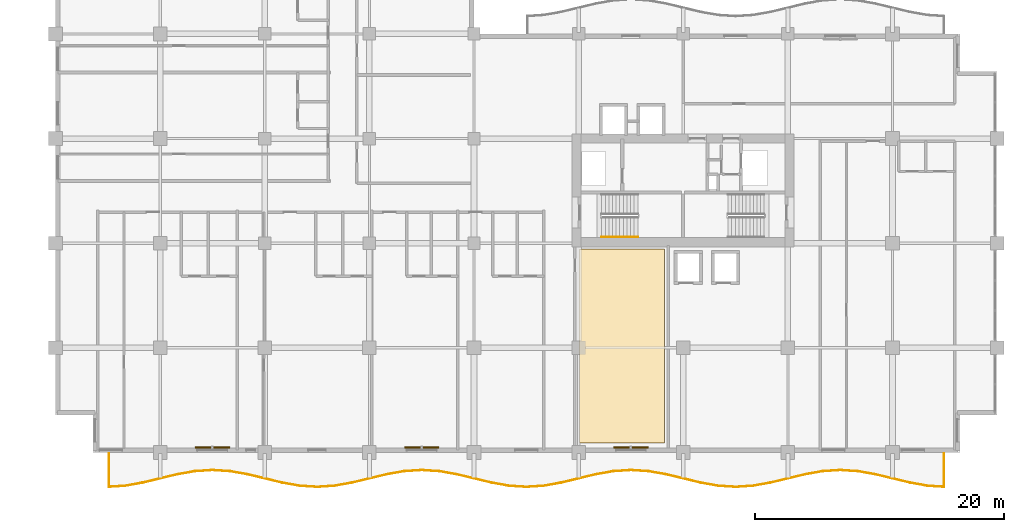
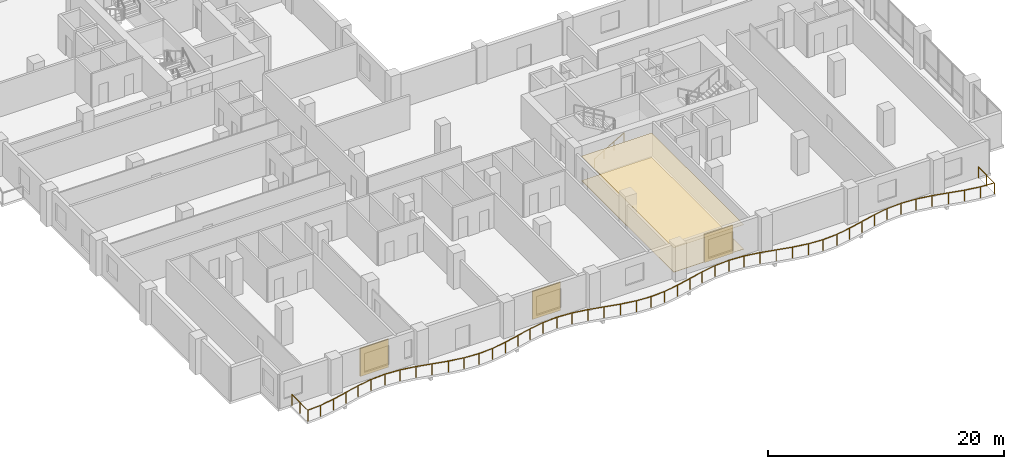
# One storey, part 19 of 22: 3 shading devices, 2 coverings, 2 railings.
"""IFC4 building model written with IfcOpenShell, lengths in metres."""

import ifcopenshell
import ifcopenshell.guid

model = None  # the IFC model being written
_history = None  # IfcOwnerHistory: only IFC2X3 demands one
_inside = {}  # id of a spatial element -> (the spatial element, [elements in it])
_under = {}  # id of a project, library or spatial element -> (it, [spatial elements below it])
_declared = {}  # id of a project -> (the project, [libraries it declares])
_typed = {}  # id of a type object -> (the type object, [elements of that type])
_made_of = {}  # id of a material, layer set ... -> (it, [elements and type objects made of it])


def new_model(schema):
    """Start an empty IFC model of exactly this schema.

    Asked for "IFC4X3", IfcOpenShell would pick the latest addendum, in which some entities
    have other attributes; the version numbers below select the first issue.
    IFC2X3 requires an IfcOwnerHistory on every rooted entity: one is made here for all.
    """
    global model, _history
    if schema == "IFC4X3":
        model = ifcopenshell.file(schema_version=(4, 3, 0, 0))
    else:
        model = ifcopenshell.file(schema=schema)
    _inside.clear()
    _under.clear()
    _declared.clear()
    _typed.clear()
    _made_of.clear()
    _history = None
    if model.schema == "IFC2X3":
        org = make("IfcOrganization", Name="unknown")
        user = make(
            "IfcPersonAndOrganization",
            ThePerson=make("IfcPerson", FamilyName="unknown"),
            TheOrganization=org,
        )
        app = make(
            "IfcApplication",
            ApplicationDeveloper=org,
            Version="unknown",
            ApplicationFullName="unknown",
            ApplicationIdentifier="unknown",
        )
        _history = make(
            "IfcOwnerHistory",
            OwningUser=user,
            OwningApplication=app,
            ChangeAction="ADDED",
            CreationDate=0,
        )
    return model


def make(cls, **values):
    """One entity of the class cls with the attributes given. An attribute that is None is left unset."""
    return model.create_entity(
        cls, **{name: value for name, value in values.items() if value is not None}
    )


def rooted(cls, **values):
    """An entity with a GlobalId (a new one), such as an element, a storey or a relation."""
    return make(cls, GlobalId=ifcopenshell.guid.new(), OwnerHistory=_history, **values)


def si_unit(unit_type, name, prefix=None):
    """IfcSIUnit, for example si_unit("LENGTHUNIT", "METRE", prefix="MILLI")."""
    return make("IfcSIUnit", UnitType=unit_type, Prefix=prefix, Name=name)


def assignment(units):
    """IfcUnitAssignment: the units of a project."""
    return None if units is None else make("IfcUnitAssignment", Units=units)


def point(xyz):
    """IfcCartesianPoint."""
    return None if xyz is None else make("IfcCartesianPoint", Coordinates=xyz)


def direction(xyz):
    """IfcDirection."""
    return None if xyz is None else make("IfcDirection", DirectionRatios=xyz)


def frame(location, z_axis=None, x_axis=None):
    """IfcAxis2Placement3D, a coordinate frame: its origin and axes. An axis left out is left unset."""
    return make(
        "IfcAxis2Placement3D",
        Location=point(location),
        Axis=direction(z_axis),
        RefDirection=direction(x_axis),
    )


def frame_2d(location, x_axis=None):
    """IfcAxis2Placement2D, a coordinate frame in the plane: its origin and x axis."""
    return make(
        "IfcAxis2Placement2D", Location=point(location), RefDirection=direction(x_axis)
    )


def origin():
    """The frame at (0, 0, 0) with its axes left unset."""
    return frame((0.0, 0.0, 0.0))


def origin_2d():
    """The frame at (0, 0) in the plane with its x axis left unset."""
    return frame_2d((0.0, 0.0))


def place(relative_to, where):
    """IfcLocalPlacement: puts the frame where relative to a parent placement (None: the world)."""
    return make(
        "IfcLocalPlacement", PlacementRelTo=relative_to, RelativePlacement=where
    )


def context(
    kind, dimensions, precision=None, world=None, true_north=None, identifier=None
):
    """IfcGeometricRepresentationContext, for example the 3D "Model" context."""
    return make(
        "IfcGeometricRepresentationContext",
        ContextIdentifier=identifier,
        ContextType=kind,
        CoordinateSpaceDimension=dimensions,
        Precision=precision,
        WorldCoordinateSystem=world,
        TrueNorth=true_north,
    )


def subcontext(parent, identifier, kind, view, scale=None):
    """IfcGeometricRepresentationSubContext, for example "Body" below "Model"."""
    return make(
        "IfcGeometricRepresentationSubContext",
        ContextIdentifier=identifier,
        ContextType=kind,
        ParentContext=parent,
        TargetScale=scale,
        TargetView=view,
    )


def project(units=None, contexts=None):
    """IfcProject with its units and contexts."""
    return rooted(
        "IfcProject",
        Name="project",
        RepresentationContexts=contexts,
        UnitsInContext=assignment(units),
    )


def spatial(cls, under=None, at=None, **own):
    """A site, building, storey or space (cls), placed at a placement, below another one or the project."""
    s = rooted(cls, ObjectPlacement=at, **own)
    if under is not None:
        _under.setdefault(under.id(), (under, []))[1].append(s)
    return s


def polyline(points):
    """IfcPolyline through the points."""
    return make("IfcPolyline", Points=[point(p) for p in points])


def profile(cls, at=None, kind="AREA", **sizes):
    """A parametric profile (cls). Its sizes go by their IFC names, for example OverallWidth=200.0."""
    return make(cls, ProfileType=kind, Position=at, **sizes)


def rectangle(**sizes):
    """IfcRectangleProfileDef."""
    return profile("IfcRectangleProfileDef", **sizes)


def circle(**sizes):
    """IfcCircleProfileDef."""
    return profile("IfcCircleProfileDef", **sizes)


def outline(outer, holes=None, kind="AREA"):
    """IfcArbitraryClosedProfileDef: a profile drawn as a closed curve; with holes, ...WithVoids."""
    if holes is None:
        return make("IfcArbitraryClosedProfileDef", ProfileType=kind, OuterCurve=outer)
    return make(
        "IfcArbitraryProfileDefWithVoids",
        ProfileType=kind,
        OuterCurve=outer,
        InnerCurves=holes,
    )


def extrude(swept, where, along, depth):
    """IfcExtrudedAreaSolid: the profile swept, set in the frame where, extruded along a direction by depth."""
    return make(
        "IfcExtrudedAreaSolid",
        SweptArea=swept,
        Position=where,
        ExtrudedDirection=direction(along),
        Depth=depth,
    )


def shape(context_of_items, identifier, shape_type, items):
    """IfcShapeRepresentation: the items that make up one representation, for example the "Body"."""
    return make(
        "IfcShapeRepresentation",
        ContextOfItems=context_of_items,
        RepresentationIdentifier=identifier,
        RepresentationType=shape_type,
        Items=items,
    )


def material(Name=None, Category=None):
    """IfcMaterial."""
    return make("IfcMaterial", Name=Name, Category=Category)


def layer(
    of_material, thickness, ventilated=None, Name=None, Category=None, Priority=None
):
    """IfcMaterialLayer: one layer of a wall or slab, of a material (None: an air gap)."""
    return make(
        "IfcMaterialLayer",
        Material=of_material,
        LayerThickness=thickness,
        IsVentilated=ventilated,
        Name=Name,
        Category=Category,
        Priority=Priority,
    )


def layer_set(layers, Name=None):
    """IfcMaterialLayerSet."""
    return make("IfcMaterialLayerSet", MaterialLayers=layers, LayerSetName=Name)


def made_of(thing, what):
    """Note that an element or type object is made of a material, layer set ...; save() writes the relation."""
    if what is not None:
        _made_of.setdefault(what.id(), (what, []))[1].append(thing)
    return thing


def type_object(cls, material=None, **own):
    """A type object (cls), such as IfcWallType, which elements share."""
    return made_of(rooted(cls, **own), material)


def element(
    cls,
    number,
    at=None,
    inside=None,
    cuts=None,
    type_object=None,
    material=None,
    context=None,
    identifier="Body",
    shape_type=None,
    held_by="IfcProductDefinitionShape",
    body=None,
    shapes=None,
    **own,
):
    """One element of the class cls, such as IfcWall. Its Tag is "e" and its number.

    at: its placement. inside: the storey or other place that contains it. cuts: it is an
    opening in that element (IfcRelVoidsElement). A single representation is given by context,
    identifier, shape_type and body (its items); several are given by shapes. held_by: the class
    of the entity that holds the representations. save() writes the other relations.
    """
    e = rooted(cls, Tag="e%d" % number, ObjectPlacement=at, **own)
    if body is not None:
        shapes = [shape(context, identifier, shape_type, body)]
    if shapes is not None:
        e.Representation = make(held_by, Representations=shapes)
    if inside is not None:
        _inside.setdefault(inside.id(), (inside, []))[1].append(e)
    if cuts is not None:
        rooted(
            "IfcRelVoidsElement", RelatingBuildingElement=cuts, RelatedOpeningElement=e
        )
    if type_object is not None:
        _typed.setdefault(type_object.id(), (type_object, []))[1].append(e)
    return made_of(e, material)


def aggregate(whole, parts):
    """IfcRelAggregates: a whole, such as a stair, and the parts it consists of."""
    return rooted("IfcRelAggregates", RelatingObject=whole, RelatedObjects=parts)


def save(model, path):
    """Write the relations noted so far, then the file.

    IfcRelAggregates (storeys below a building ...), IfcRelContainedInSpatialStructure (elements
    in a storey), IfcRelDefinesByType, IfcRelAssociatesMaterial and IfcRelDeclares: one each for
    every whole, place, type object, material and project.
    """
    for whole, parts in _under.values():
        aggregate(whole, parts)
    for where, things in _inside.values():
        rooted(
            "IfcRelContainedInSpatialStructure",
            RelatedElements=things,
            RelatingStructure=where,
        )
    for kind, things in _typed.values():
        rooted("IfcRelDefinesByType", RelatedObjects=things, RelatingType=kind)
    for what, things in _made_of.values():
        rooted("IfcRelAssociatesMaterial", RelatedObjects=things, RelatingMaterial=what)
    for by, libraries in _declared.values():
        rooted("IfcRelDeclares", RelatingContext=by, RelatedDefinitions=libraries)
    model.write(path)


model = new_model("IFC4")

# Units and contexts
model_context = context("Model", 3, precision=1e-05, world=origin(), true_north=direction((0.0, 1.0)))
body_context = subcontext(model_context, "Body", "Model", "MODEL_VIEW")
ifc_project = project(units=[si_unit("LENGTHUNIT", "METRE"), si_unit("AREAUNIT", "SQUARE_METRE"), si_unit("VOLUMEUNIT", "CUBIC_METRE"), si_unit("PLANEANGLEUNIT", "RADIAN"), si_unit("MASSUNIT", "GRAM", prefix="KILO")], contexts=[model_context])

# Site, building, storey
site_placement = place(None, origin())
site = spatial("IfcSite", under=ifc_project, at=site_placement, CompositionType="ELEMENT")
building_placement = place(site_placement, origin())
building = spatial("IfcBuilding", under=site, at=building_placement, Name="Koriwani Terraces Tower", CompositionType="ELEMENT")
storey_placement = place(building_placement, frame((0.0, 0.0, 182.800048828125)))
storey = spatial("IfcBuildingStorey", under=building, at=storey_placement, Name="L44", CompositionType="ELEMENT", Elevation=182.800048828125)

# Coverings
ifc_material_1 = material(Name="Fire-Rated Acoustic Gypsum Partition", Category="masonry")
ifc_layer_1 = layer(ifc_material_1, 0.02490234375, Name="Fire-Rated Acoustic Gypsum Partition")
ifc_layer_set_1 = layer_set([ifc_layer_1], Name="Fire-Rated Acoustic Gypsum Partition")
covering_type_1 = type_object("IfcCoveringType", Name="CEILING_ACOUSTIC_GYPSUM", PredefinedType="CEILING", material=ifc_layer_set_1)
covering_1_placement = place(storey_placement, frame((0.0, 0.0, 2.52490234375)))
element("IfcCovering", 1, at=covering_1_placement, inside=storey, type_object=covering_type_1, Name="L44 Suspended Acoustic Gypsum Ceiling", PredefinedType="CEILING", context=body_context, shape_type="SweptSolid", body=[
    extrude(outline(polyline([(42.050048828125, 0.75), (42.050048828125, 16.35009765625), (48.89990234375, 16.35009765625), (48.89990234375, 0.75), (42.050048828125, 0.75)])), origin(), (0.0, 0.0, 1.0), 0.025146484375),
])
ifc_material_2 = material(Name="Polished Andean Slate Flooring", Category="masonry")
ifc_layer_2 = layer(ifc_material_2, 0.030029296875, Name="Polished Andean Slate Flooring")
ifc_layer_set_2 = layer_set([ifc_layer_2], Name="Polished Andean Slate Flooring")
covering_type_2 = type_object("IfcCoveringType", Name="FLOORING_ANDEAN_STONE", PredefinedType="FLOORING", material=ifc_layer_set_2)
covering_2_placement = place(storey_placement, origin())
element("IfcCovering", 2, at=covering_2_placement, inside=storey, type_object=covering_type_2, Name="L44 Polished Andean Slate Floor Finish", PredefinedType="FLOORING", context=body_context, shape_type="SweptSolid", body=[
    extrude(outline(polyline([(42.050048828125, 0.75), (42.050048828125, 16.35009765625), (48.89990234375, 16.35009765625), (48.89990234375, 0.75), (42.050048828125, 0.75)])), origin(), (0.0, 0.0, 1.0), 0.030029296875),
])

# Railings
ifc_material_3 = material(Name="Steel ASTM A572 Grade 50", Category="steel")
railing_type_1 = type_object("IfcRailingType", Name="GUARD_BALUSTRADE_1150", PredefinedType="BALUSTRADE", material=ifc_material_3)
railing_1_placement = place(storey_placement, frame((4.280029296875, -0.080078125, 0.0)))
element("IfcRailing", 3, at=railing_1_placement, inside=storey, type_object=railing_type_1, Name="L44 Balcony Perimeter Safety Balustrade (S)", PredefinedType="BALUSTRADE", context=body_context, shape_type="SweptSolid", body=[
    extrude(circle(Radius=0.02392578125, at=origin_2d()), frame((0.0, 0.0, 1.1259765625), z_axis=(0.0, -1.0, 0.0), x_axis=(1.0, 0.0, 0.0)), (0.0, 0.0, 1.0), 2.6845703125),
    extrude(circle(Radius=0.02392578125, at=origin_2d()), frame((0.0, -2.6845703125, 1.1259765625), z_axis=(0.997928390732, 0.064334492863, 0.0), x_axis=(-0.064334492863, 0.997928390732, 0.0)), (0.0, 0.0, 1.0), 1.31298828125),
    extrude(circle(Radius=0.02392578125, at=origin_2d()), frame((1.310302734375, -2.60009765625, 1.1259765625), z_axis=(0.984757491153, 0.173932985997, 0.0), x_axis=(-0.173932985997, 0.984757491153, 0.0)), (0.0, 0.0, 1.0), 1.414794921875),
    extrude(circle(Radius=0.02392578125, at=origin_2d()), frame((2.70361328125, -2.35400390625, 1.1259765625), z_axis=(0.972166814785, 0.234289744186, 0.0), x_axis=(-0.234289744186, 0.972166814785, 0.0)), (0.0, 0.0, 1.0), 2.880126953125),
    extrude(circle(Radius=0.02392578125, at=origin_2d()), frame((5.503662109375, -1.67919921875, 1.1259765625), z_axis=(0.984778396698, 0.173814583381, 0.0), x_axis=(-0.173814583381, 0.984778396698, 0.0)), (0.0, 0.0, 1.0), 1.428466796875),
    extrude(circle(Radius=0.02392578125, at=origin_2d()), frame((6.910400390625, -1.430908203125, 1.1259765625), z_axis=(0.997931036226, 0.064293443969, 0.0), x_axis=(-0.064293443969, 0.997931036226, 0.0)), (0.0, 0.0, 1.0), 1.41259765625),
    extrude(circle(Radius=0.02392578125, at=origin_2d()), frame((8.320068359375, -1.340087890625, 1.1259765625), z_axis=(0.997930321615, -0.064304534842, 0.0), x_axis=(0.064304534842, 0.997930321615, 0.0)), (0.0, 0.0, 1.0), 1.412353515625),
    extrude(circle(Radius=0.02392578125, at=origin_2d()), frame((9.7294921875, -1.430908203125, 1.1259765625), z_axis=(0.984778396698, -0.173814583381, 0.0), x_axis=(0.173814583381, 0.984778396698, 0.0)), (0.0, 0.0, 1.0), 1.428466796875),
    extrude(circle(Radius=0.02392578125, at=origin_2d()), frame((11.13623046875, -1.67919921875, 1.1259765625), z_axis=(0.972166814785, -0.234289744186, 0.0), x_axis=(0.234289744186, 0.972166814785, 0.0)), (0.0, 0.0, 1.0), 2.880126953125),
    extrude(circle(Radius=0.02392578125, at=origin_2d()), frame((13.936279296875, -2.35400390625, 1.1259765625), z_axis=(0.984757491153, -0.173932985997, 0.0), x_axis=(0.173932985997, 0.984757491153, 0.0)), (0.0, 0.0, 1.0), 1.414794921875),
    extrude(circle(Radius=0.02392578125, at=origin_2d()), frame((15.32958984375, -2.60009765625, 1.1259765625), z_axis=(0.997930027485, -0.064309099225, 0.0), x_axis=(0.064309099225, 0.997930027485, 0.0)), (0.0, 0.0, 1.0), 1.393310546875),
    extrude(circle(Radius=0.02392578125, at=origin_2d()), frame((16.719970703125, -2.689697265625, 1.1259765625), z_axis=(0.997930027485, 0.064309099225, 0.0), x_axis=(-0.064309099225, 0.997930027485, 0.0)), (0.0, 0.0, 1.0), 1.393310546875),
    extrude(circle(Radius=0.02392578125, at=origin_2d()), frame((18.1103515625, -2.60009765625, 1.1259765625), z_axis=(0.984757491153, 0.173932985997, 0.0), x_axis=(-0.173932985997, 0.984757491153, 0.0)), (0.0, 0.0, 1.0), 1.414794921875),
    extrude(circle(Radius=0.02392578125, at=origin_2d()), frame((19.503662109375, -2.35400390625, 1.1259765625), z_axis=(0.972166814785, 0.234289744186, 0.0), x_axis=(-0.234289744186, 0.972166814785, 0.0)), (0.0, 0.0, 1.0), 2.880126953125),
    extrude(circle(Radius=0.02392578125, at=origin_2d()), frame((22.3037109375, -1.67919921875, 1.1259765625), z_axis=(0.984778396698, 0.173814583381, 0.0), x_axis=(-0.173814583381, 0.984778396698, 0.0)), (0.0, 0.0, 1.0), 1.428466796875),
    extrude(circle(Radius=0.02392578125, at=origin_2d()), frame((23.71044921875, -1.430908203125, 1.1259765625), z_axis=(0.997930321615, 0.064304534842, 0.0), x_axis=(-0.064304534842, 0.997930321615, 0.0)), (0.0, 0.0, 1.0), 1.412353515625),
    extrude(circle(Radius=0.02392578125, at=origin_2d()), frame((25.119873046875, -1.340087890625, 1.1259765625), z_axis=(0.997931036226, -0.064293443969, 0.0), x_axis=(0.064293443969, 0.997931036226, 0.0)), (0.0, 0.0, 1.0), 1.41259765625),
    extrude(circle(Radius=0.02392578125, at=origin_2d()), frame((26.529541015625, -1.430908203125, 1.1259765625), z_axis=(0.984778396698, -0.173814583381, 0.0), x_axis=(0.173814583381, 0.984778396698, 0.0)), (0.0, 0.0, 1.0), 1.428466796875),
    extrude(circle(Radius=0.02392578125, at=origin_2d()), frame((27.936279296875, -1.67919921875, 1.1259765625), z_axis=(0.972166814785, -0.234289744186, 0.0), x_axis=(0.234289744186, 0.972166814785, 0.0)), (0.0, 0.0, 1.0), 2.880126953125),
    extrude(circle(Radius=0.02392578125, at=origin_2d()), frame((30.736328125, -2.35400390625, 1.1259765625), z_axis=(0.984757491153, -0.173932985997, 0.0), x_axis=(0.173932985997, 0.984757491153, 0.0)), (0.0, 0.0, 1.0), 1.414794921875),
    extrude(circle(Radius=0.02392578125, at=origin_2d()), frame((32.129638671875, -2.60009765625, 1.1259765625), z_axis=(0.997930027485, -0.064309099225, 0.0), x_axis=(0.064309099225, 0.997930027485, 0.0)), (0.0, 0.0, 1.0), 1.393310546875),
    extrude(circle(Radius=0.02392578125, at=origin_2d()), frame((33.52001953125, -2.689697265625, 1.1259765625), z_axis=(0.997930027485, 0.064309099225, 0.0), x_axis=(-0.064309099225, 0.997930027485, 0.0)), (0.0, 0.0, 1.0), 1.393310546875),
    extrude(circle(Radius=0.02392578125, at=origin_2d()), frame((34.910400390625, -2.60009765625, 1.1259765625), z_axis=(0.984757491153, 0.173932985997, 0.0), x_axis=(-0.173932985997, 0.984757491153, 0.0)), (0.0, 0.0, 1.0), 1.414794921875),
    extrude(circle(Radius=0.02392578125, at=origin_2d()), frame((36.3037109375, -2.35400390625, 1.1259765625), z_axis=(0.972166814785, 0.234289744186, 0.0), x_axis=(-0.234289744186, 0.972166814785, 0.0)), (0.0, 0.0, 1.0), 2.880126953125),
    extrude(circle(Radius=0.02392578125, at=origin_2d()), frame((39.103759765625, -1.67919921875, 1.1259765625), z_axis=(0.984778396698, 0.173814583381, 0.0), x_axis=(-0.173814583381, 0.984778396698, 0.0)), (0.0, 0.0, 1.0), 1.428466796875),
    extrude(circle(Radius=0.02392578125, at=origin_2d()), frame((40.510498046875, -1.430908203125, 1.1259765625), z_axis=(0.997930321615, 0.064304534842, 0.0), x_axis=(-0.064304534842, 0.997930321615, 0.0)), (0.0, 0.0, 1.0), 1.412353515625),
    extrude(circle(Radius=0.02392578125, at=origin_2d()), frame((41.919921875, -1.340087890625, 1.1259765625), z_axis=(0.997931036226, -0.064293443969, 0.0), x_axis=(0.064293443969, 0.997931036226, 0.0)), (0.0, 0.0, 1.0), 1.41259765625),
    extrude(circle(Radius=0.02392578125, at=origin_2d()), frame((43.32958984375, -1.430908203125, 1.1259765625), z_axis=(0.984778396698, -0.173814583381, 0.0), x_axis=(0.173814583381, 0.984778396698, 0.0)), (0.0, 0.0, 1.0), 1.428466796875),
    extrude(circle(Radius=0.02392578125, at=origin_2d()), frame((44.736328125, -1.67919921875, 1.1259765625), z_axis=(0.972166814785, -0.234289744186, 0.0), x_axis=(0.234289744186, 0.972166814785, 0.0)), (0.0, 0.0, 1.0), 2.880126953125),
    extrude(circle(Radius=0.02392578125, at=origin_2d()), frame((47.536376953125, -2.35400390625, 1.1259765625), z_axis=(0.984757491153, -0.173932985997, 0.0), x_axis=(0.173932985997, 0.984757491153, 0.0)), (0.0, 0.0, 1.0), 1.414794921875),
    extrude(circle(Radius=0.02392578125, at=origin_2d()), frame((48.9296875, -2.60009765625, 1.1259765625), z_axis=(0.997930027485, -0.064309099225, 0.0), x_axis=(0.064309099225, 0.997930027485, 0.0)), (0.0, 0.0, 1.0), 1.393310546875),
    extrude(circle(Radius=0.02392578125, at=origin_2d()), frame((50.320068359375, -2.689697265625, 1.1259765625), z_axis=(0.997930027485, 0.064309099225, 0.0), x_axis=(-0.064309099225, 0.997930027485, 0.0)), (0.0, 0.0, 1.0), 1.393310546875),
    extrude(circle(Radius=0.02392578125, at=origin_2d()), frame((51.71044921875, -2.60009765625, 1.1259765625), z_axis=(0.984757491153, 0.173932985997, 0.0), x_axis=(-0.173932985997, 0.984757491153, 0.0)), (0.0, 0.0, 1.0), 1.414794921875),
    extrude(circle(Radius=0.02392578125, at=origin_2d()), frame((53.103759765625, -2.35400390625, 1.1259765625), z_axis=(0.97216216133, 0.234309052487, 0.0), x_axis=(-0.234309052487, 0.97216216133, 0.0)), (0.0, 0.0, 1.0), 2.8798828125),
    extrude(circle(Radius=0.02392578125, at=origin_2d()), frame((55.903564453125, -1.67919921875, 1.1259765625), z_axis=(0.984783558818, 0.173785333909, 0.0), x_axis=(-0.173785333909, 0.984783558818, 0.0)), (0.0, 0.0, 1.0), 1.4287109375),
    extrude(circle(Radius=0.02392578125, at=origin_2d()), frame((57.310546875, -1.430908203125, 1.1259765625), z_axis=(0.997930321615, 0.064304534842, 0.0), x_axis=(-0.064304534842, 0.997930321615, 0.0)), (0.0, 0.0, 1.0), 1.412353515625),
    extrude(circle(Radius=0.02392578125, at=origin_2d()), frame((58.719970703125, -1.340087890625, 1.1259765625), z_axis=(0.997930321615, -0.064304534842, 0.0), x_axis=(0.064304534842, 0.997930321615, 0.0)), (0.0, 0.0, 1.0), 1.412353515625),
    extrude(circle(Radius=0.02392578125, at=origin_2d()), frame((60.12939453125, -1.430908203125, 1.1259765625), z_axis=(0.984783558818, -0.173785333909, 0.0), x_axis=(0.173785333909, 0.984783558818, 0.0)), (0.0, 0.0, 1.0), 1.4287109375),
    extrude(circle(Radius=0.02392578125, at=origin_2d()), frame((61.536376953125, -1.67919921875, 1.1259765625), z_axis=(0.97216216133, -0.234309052487, 0.0), x_axis=(0.234309052487, 0.97216216133, 0.0)), (0.0, 0.0, 1.0), 2.8798828125),
    extrude(circle(Radius=0.02392578125, at=origin_2d()), frame((64.336181640625, -2.35400390625, 1.1259765625), z_axis=(0.984757491153, -0.173932985997, 0.0), x_axis=(0.173932985997, 0.984757491153, 0.0)), (0.0, 0.0, 1.0), 1.414794921875),
    extrude(circle(Radius=0.02392578125, at=origin_2d()), frame((65.7294921875, -2.60009765625, 1.1259765625), z_axis=(0.997929160101, -0.064322557637, 0.0), x_axis=(0.064322557637, 0.997929160101, 0.0)), (0.0, 0.0, 1.0), 1.313232421875),
    extrude(circle(Radius=0.02392578125, at=origin_2d()), frame((67.0400390625, -2.6845703125, 1.1259765625), z_axis=(0.0, 1.0, 0.0), x_axis=(-1.0, 0.0, 0.0)), (0.0, 0.0, 1.0), 2.6845703125),
    extrude(circle(Radius=0.02099609375, at=origin_2d()), origin(), (0.0, 0.0, 1.0), 1.101806640625),
    extrude(circle(Radius=0.02099609375, at=origin_2d()), frame((0.0, -1.34228515625, 0.0)), (0.0, 0.0, 1.0), 1.101806640625),
    extrude(circle(Radius=0.02099609375, at=origin_2d()), frame((0.0, -2.6845703125, 0.0)), (0.0, 0.0, 1.0), 1.101806640625),
    extrude(circle(Radius=0.02099609375, at=origin_2d()), frame((1.310302734375, -2.60009765625, 0.0)), (0.0, 0.0, 1.0), 1.101806640625),
    extrude(circle(Radius=0.02099609375, at=origin_2d()), frame((2.70361328125, -2.35400390625, 0.0)), (0.0, 0.0, 1.0), 1.101806640625),
    extrude(circle(Radius=0.02099609375, at=origin_2d()), frame((4.103515625, -2.0166015625, 0.0)), (0.0, 0.0, 1.0), 1.101806640625),
    extrude(circle(Radius=0.02099609375, at=origin_2d()), frame((5.503662109375, -1.67919921875, 0.0)), (0.0, 0.0, 1.0), 1.101806640625),
    extrude(circle(Radius=0.02099609375, at=origin_2d()), frame((6.910400390625, -1.430908203125, 0.0)), (0.0, 0.0, 1.0), 1.101806640625),
    extrude(circle(Radius=0.02099609375, at=origin_2d()), frame((8.320068359375, -1.340087890625, 0.0)), (0.0, 0.0, 1.0), 1.101806640625),
    extrude(circle(Radius=0.02099609375, at=origin_2d()), frame((9.7294921875, -1.430908203125, 0.0)), (0.0, 0.0, 1.0), 1.101806640625),
    extrude(circle(Radius=0.02099609375, at=origin_2d()), frame((11.13623046875, -1.67919921875, 0.0)), (0.0, 0.0, 1.0), 1.101806640625),
    extrude(circle(Radius=0.02099609375, at=origin_2d()), frame((12.5361328125, -2.0166015625, 0.0)), (0.0, 0.0, 1.0), 1.101806640625),
    extrude(circle(Radius=0.02099609375, at=origin_2d()), frame((13.936279296875, -2.35400390625, 0.0)), (0.0, 0.0, 1.0), 1.101806640625),
    extrude(circle(Radius=0.02099609375, at=origin_2d()), frame((15.32958984375, -2.60009765625, 0.0)), (0.0, 0.0, 1.0), 1.101806640625),
    extrude(circle(Radius=0.02099609375, at=origin_2d()), frame((16.719970703125, -2.689697265625, 0.0)), (0.0, 0.0, 1.0), 1.101806640625),
    extrude(circle(Radius=0.02099609375, at=origin_2d()), frame((18.1103515625, -2.60009765625, 0.0)), (0.0, 0.0, 1.0), 1.101806640625),
    extrude(circle(Radius=0.02099609375, at=origin_2d()), frame((19.503662109375, -2.35400390625, 0.0)), (0.0, 0.0, 1.0), 1.101806640625),
    extrude(circle(Radius=0.02099609375, at=origin_2d()), frame((20.90380859375, -2.0166015625, 0.0)), (0.0, 0.0, 1.0), 1.101806640625),
    extrude(circle(Radius=0.02099609375, at=origin_2d()), frame((22.3037109375, -1.67919921875, 0.0)), (0.0, 0.0, 1.0), 1.101806640625),
    extrude(circle(Radius=0.02099609375, at=origin_2d()), frame((23.71044921875, -1.430908203125, 0.0)), (0.0, 0.0, 1.0), 1.101806640625),
    extrude(circle(Radius=0.02099609375, at=origin_2d()), frame((25.119873046875, -1.340087890625, 0.0)), (0.0, 0.0, 1.0), 1.101806640625),
    extrude(circle(Radius=0.02099609375, at=origin_2d()), frame((26.529541015625, -1.430908203125, 0.0)), (0.0, 0.0, 1.0), 1.101806640625),
    extrude(circle(Radius=0.02099609375, at=origin_2d()), frame((27.936279296875, -1.67919921875, 0.0)), (0.0, 0.0, 1.0), 1.101806640625),
    extrude(circle(Radius=0.02099609375, at=origin_2d()), frame((29.33642578125, -2.0166015625, 0.0)), (0.0, 0.0, 1.0), 1.101806640625),
    extrude(circle(Radius=0.02099609375, at=origin_2d()), frame((30.736328125, -2.35400390625, 0.0)), (0.0, 0.0, 1.0), 1.101806640625),
    extrude(circle(Radius=0.02099609375, at=origin_2d()), frame((32.129638671875, -2.60009765625, 0.0)), (0.0, 0.0, 1.0), 1.101806640625),
    extrude(circle(Radius=0.02099609375, at=origin_2d()), frame((33.52001953125, -2.689697265625, 0.0)), (0.0, 0.0, 1.0), 1.101806640625),
    extrude(circle(Radius=0.02099609375, at=origin_2d()), frame((34.910400390625, -2.60009765625, 0.0)), (0.0, 0.0, 1.0), 1.101806640625),
    extrude(circle(Radius=0.02099609375, at=origin_2d()), frame((36.3037109375, -2.35400390625, 0.0)), (0.0, 0.0, 1.0), 1.101806640625),
    extrude(circle(Radius=0.02099609375, at=origin_2d()), frame((37.70361328125, -2.0166015625, 0.0)), (0.0, 0.0, 1.0), 1.101806640625),
    extrude(circle(Radius=0.02099609375, at=origin_2d()), frame((39.103759765625, -1.67919921875, 0.0)), (0.0, 0.0, 1.0), 1.101806640625),
    extrude(circle(Radius=0.02099609375, at=origin_2d()), frame((40.510498046875, -1.430908203125, 0.0)), (0.0, 0.0, 1.0), 1.101806640625),
    extrude(circle(Radius=0.02099609375, at=origin_2d()), frame((41.919921875, -1.340087890625, 0.0)), (0.0, 0.0, 1.0), 1.101806640625),
    extrude(circle(Radius=0.02099609375, at=origin_2d()), frame((43.32958984375, -1.430908203125, 0.0)), (0.0, 0.0, 1.0), 1.101806640625),
    extrude(circle(Radius=0.02099609375, at=origin_2d()), frame((44.736328125, -1.67919921875, 0.0)), (0.0, 0.0, 1.0), 1.101806640625),
    extrude(circle(Radius=0.02099609375, at=origin_2d()), frame((46.13623046875, -2.0166015625, 0.0)), (0.0, 0.0, 1.0), 1.101806640625),
    extrude(circle(Radius=0.02099609375, at=origin_2d()), frame((47.536376953125, -2.35400390625, 0.0)), (0.0, 0.0, 1.0), 1.101806640625),
    extrude(circle(Radius=0.02099609375, at=origin_2d()), frame((48.9296875, -2.60009765625, 0.0)), (0.0, 0.0, 1.0), 1.101806640625),
    extrude(circle(Radius=0.02099609375, at=origin_2d()), frame((50.320068359375, -2.689697265625, 0.0)), (0.0, 0.0, 1.0), 1.101806640625),
    extrude(circle(Radius=0.02099609375, at=origin_2d()), frame((51.71044921875, -2.60009765625, 0.0)), (0.0, 0.0, 1.0), 1.101806640625),
    extrude(circle(Radius=0.02099609375, at=origin_2d()), frame((53.103759765625, -2.35400390625, 0.0)), (0.0, 0.0, 1.0), 1.101806640625),
    extrude(circle(Radius=0.02099609375, at=origin_2d()), frame((54.503662109375, -2.0166015625, 0.0)), (0.0, 0.0, 1.0), 1.101806640625),
    extrude(circle(Radius=0.02099609375, at=origin_2d()), frame((55.903564453125, -1.67919921875, 0.0)), (0.0, 0.0, 1.0), 1.101806640625),
    extrude(circle(Radius=0.02099609375, at=origin_2d()), frame((57.310546875, -1.430908203125, 0.0)), (0.0, 0.0, 1.0), 1.101806640625),
    extrude(circle(Radius=0.02099609375, at=origin_2d()), frame((58.719970703125, -1.340087890625, 0.0)), (0.0, 0.0, 1.0), 1.101806640625),
    extrude(circle(Radius=0.02099609375, at=origin_2d()), frame((60.12939453125, -1.430908203125, 0.0)), (0.0, 0.0, 1.0), 1.101806640625),
    extrude(circle(Radius=0.02099609375, at=origin_2d()), frame((61.536376953125, -1.67919921875, 0.0)), (0.0, 0.0, 1.0), 1.101806640625),
    extrude(circle(Radius=0.02099609375, at=origin_2d()), frame((62.936279296875, -2.0166015625, 0.0)), (0.0, 0.0, 1.0), 1.101806640625),
    extrude(circle(Radius=0.02099609375, at=origin_2d()), frame((64.336181640625, -2.35400390625, 0.0)), (0.0, 0.0, 1.0), 1.101806640625),
    extrude(circle(Radius=0.02099609375, at=origin_2d()), frame((65.7294921875, -2.60009765625, 0.0)), (0.0, 0.0, 1.0), 1.101806640625),
    extrude(circle(Radius=0.02099609375, at=origin_2d()), frame((67.0400390625, -2.6845703125, 0.0)), (0.0, 0.0, 1.0), 1.101806640625),
    extrude(circle(Radius=0.02099609375, at=origin_2d()), frame((67.0400390625, -1.34228515625, 0.0)), (0.0, 0.0, 1.0), 1.101806640625),
    extrude(circle(Radius=0.02099609375, at=origin_2d()), frame((67.0400390625, 0.0, 0.0)), (0.0, 0.0, 1.0), 1.101806640625),
])
railing_type_2 = type_object("IfcRailingType", Name="HANDRAIL_STAIR_920", PredefinedType="HANDRAIL", material=ifc_material_3)
railing_2_placement = place(storey_placement, frame((43.85009765625, 17.300048828125, 0.168212890625)))
element("IfcRailing", 4, at=railing_2_placement, inside=storey, type_object=railing_type_2, Name="L44 ST-E1 stair handrail 1", PredefinedType="HANDRAIL", context=body_context, shape_type="SweptSolid", body=[
    extrude(circle(Radius=0.02392578125, at=origin_2d()), frame((0.0, 0.0, 0.8759765625), z_axis=(0.86507038078, 0.0, 0.501650512107), x_axis=(0.0, 1.0, 0.0)), (0.0, 0.0, 1.0), 3.352294921875),
    extrude(circle(Radius=0.02099609375, at=origin_2d()), origin(), (0.0, 0.0, 1.0), 0.851806640625),
    extrude(circle(Radius=0.02099609375, at=origin_2d()), frame((0.966552734375, 0.0, 0.560546875)), (0.0, 0.0, 1.0), 0.851806640625),
    extrude(circle(Radius=0.02099609375, at=origin_2d()), frame((1.933349609375, 0.0, 1.12109375)), (0.0, 0.0, 1.0), 0.851806640625),
    extrude(circle(Radius=0.02099609375, at=origin_2d()), frame((2.89990234375, 0.0, 1.681640625)), (0.0, 0.0, 1.0), 0.851806640625),
])

# Shading devices
ifc_material_4 = material(Name="Extruded Terracotta Clay", Category="masonry")
ifc_layer_3 = layer(ifc_material_4, 0.1201171875, Name="Extruded Terracotta Clay")
ifc_layer_set_3 = layer_set([ifc_layer_3], Name="Extruded Terracotta Clay")
shading_device_type = type_object("IfcShadingDeviceType", Name="TERRACOTTA_BAGUETTE_SCREEN_2800", PredefinedType="USERDEFINED", material=ifc_layer_set_3)
for number, where, z_axis, x_axis, name in (
    (5, (12.60009765625, 0.405029296875, 0.284912109375), (0.0, 0.0, 1.0), (-1.0, 0.0, 0.0), "L44 Extruded Terracotta Baguette Screen (S-3)"),
    (6, (29.39990234375, 0.405029296875, 0.284912109375), (0.0, 0.0, 1.0), (-1.0, 0.0, 0.0), "L44 Extruded Terracotta Baguette Screen (S-9)"),
    (7, (46.199951171875, 0.405029296875, 0.284912109375), (0.0, 0.0, 1.0), (-1.0, 0.0, 0.0), "L44 Extruded Terracotta Baguette Screen (S-15)"),
):
    element("IfcShadingDevice", number, at=place(storey_placement, frame(where, z_axis=z_axis, x_axis=x_axis)), inside=storey, type_object=shading_device_type, Name=name, ObjectType="BAGUETTE", PredefinedType="USERDEFINED", context=body_context, shape_type="SweptSolid", body=[
        extrude(rectangle(XDim=2.760009765625, YDim=0.1201171875, at=origin_2d()), origin(), (0.0, 0.0, 1.0), 2.89990234375),
    ])

save(model, "model.ifc")
